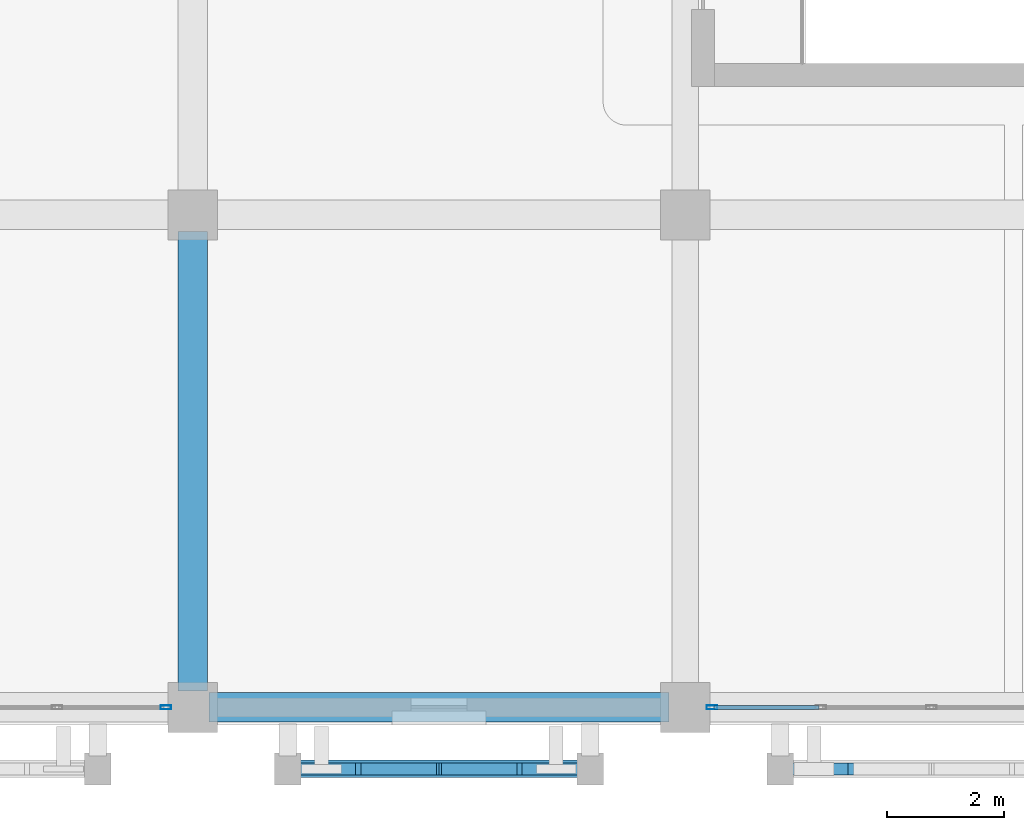
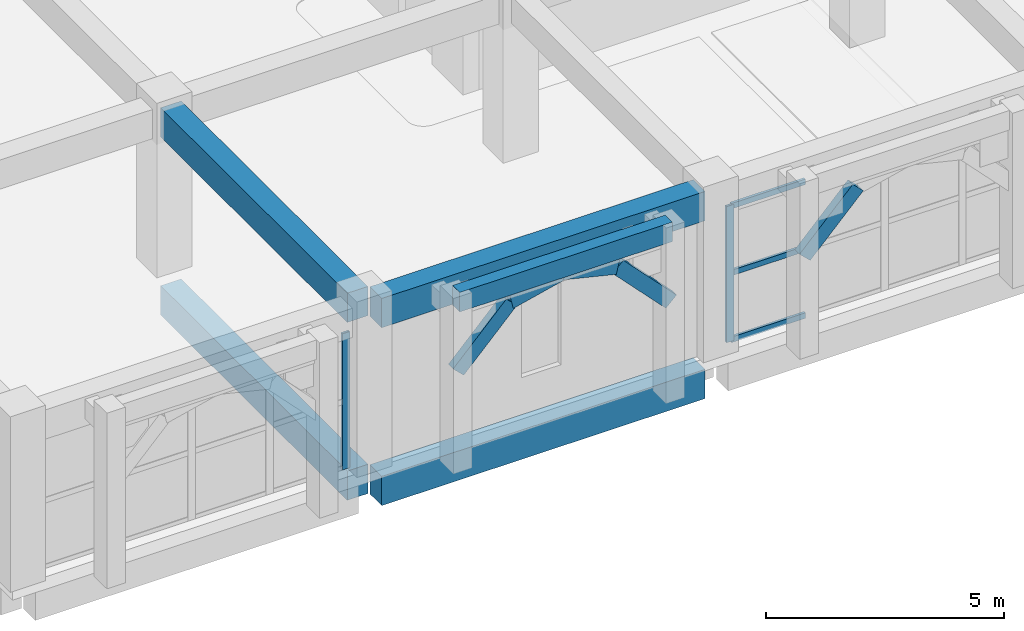
# One storey, part 5 of 129: 10 members, 5 beams, 2 elements without a shape of their own.
"""IFC4 building model written with IfcOpenShell, lengths in metres."""

from ifc_helpers import new_model, si_unit, direction, frame, origin, origin_2d, place, context, subcontext, project, spatial, rectangle, hollow_rectangle, extrude, material, layer, layer_set, material_profile, profile_set, type_object, element, aggregate, save


model = new_model("IFC4")

# Units and contexts
model_context = context("Model", 3, precision=1e-05, world=origin(), true_north=direction((0.0, 1.0)))
body_context = subcontext(model_context, "Body", "Model", "MODEL_VIEW")
ifc_project = project(units=[si_unit("LENGTHUNIT", "METRE"), si_unit("AREAUNIT", "SQUARE_METRE"), si_unit("VOLUMEUNIT", "CUBIC_METRE"), si_unit("PLANEANGLEUNIT", "RADIAN"), si_unit("MASSUNIT", "GRAM", prefix="KILO")], contexts=[model_context])

# Site, building, storey
site_placement = place(None, origin())
site = spatial("IfcSite", under=ifc_project, at=site_placement, CompositionType="ELEMENT")
building_placement = place(site_placement, origin())
building = spatial("IfcBuilding", under=site, at=building_placement, Name="Xazarin Passage Department Store", CompositionType="ELEMENT")
storey_placement = place(building_placement, frame((0.0, 0.0, 9.89990234375)))
storey = spatial("IfcBuildingStorey", under=building, at=storey_placement, Name="L02", CompositionType="ELEMENT", Elevation=9.89990234375)

# Curtain wall, member
ifc_material_1 = material(Name="Bronze anodised aluminium", Category="aluminium")
ifc_layer = layer(ifc_material_1, 0.18994140625)
ifc_layer_set = layer_set([ifc_layer], Name="Bronze anodised aluminium")
curtain_wall_type = type_object("IfcCurtainWallType", Name="ARC-CW-FDH1", PredefinedType="NOTDEFINED", material=ifc_layer_set)
curtain_wall_1_placement = place(storey_placement, origin())
curtain_wall_1 = element("IfcCurtainWall", 1, at=curtain_wall_1_placement, inside=storey, type_object=curtain_wall_type, Name="L02 V3 Curtain Wall 130", PredefinedType="NOTDEFINED")
ifc_material_profile_1 = material_profile(ifc_material_1, hollow_rectangle(XDim=0.06494140625, YDim=0.179931640625, WallThickness=0.00390625, at=origin_2d()), Name="ALU 65x180")
ifc_profile_set_1 = profile_set([ifc_material_profile_1], Name="Bronze anodised aluminium")
member_type_1 = type_object("IfcMemberType", Name="ARC-CWM-65x180", PredefinedType="MULLION", material=ifc_profile_set_1)
member_1_placement = place(storey_placement, frame((16.342529296875, 0.0, 0.0), z_axis=(0.0, 0.0, 1.0), x_axis=(0.0, 1.0, 0.0)))
member_1 = element("IfcMember", 2, at=member_1_placement, type_object=member_type_1, Name="CW5 mullion 5", PredefinedType="MULLION", context=body_context, shape_type="SweptSolid", body=[
    extrude(hollow_rectangle(XDim=0.06494140625, YDim=0.179931640625, WallThickness=0.00390625, at=origin_2d()), origin(), (0.0, 0.0, 1.0), 3.489990234375),
])
aggregate(curtain_wall_1, [member_1])

# Curtain wall, members
curtain_wall_2_placement = place(storey_placement, origin())
curtain_wall_2 = element("IfcCurtainWall", 3, at=curtain_wall_2_placement, inside=storey, type_object=curtain_wall_type, Name="L02 V3 Curtain Wall 131", PredefinedType="NOTDEFINED")
member_2_placement = place(storey_placement, frame((25.657470703125, 0.0, 0.0), z_axis=(0.0, 0.0, 1.0), x_axis=(0.0, 1.0, 0.0)))
member_2 = element("IfcMember", 4, at=member_2_placement, type_object=member_type_1, Name="CW5 mullion 1", PredefinedType="MULLION", context=body_context, shape_type="SweptSolid", body=[
    extrude(hollow_rectangle(XDim=0.06494140625, YDim=0.179931640625, WallThickness=0.00390625, at=origin_2d()), origin(), (0.0, 0.0, 1.0), 3.489990234375),
])
ifc_material_profile_2 = material_profile(ifc_material_1, hollow_rectangle(XDim=0.06494140625, YDim=0.139892578125, WallThickness=0.00390625, at=origin_2d()), Name="ALU 65x140")
ifc_profile_set_2 = profile_set([ifc_material_profile_2], Name="Bronze anodised aluminium")
member_type_2 = type_object("IfcMemberType", Name="ARC-CWT-65x140", PredefinedType="USERDEFINED", material=ifc_profile_set_2)
member_3_placement = place(storey_placement, frame((25.68994140625, 0.0, 0.03271484375), z_axis=(1.0, 0.0, 0.0), x_axis=(0.0, 1.0, 0.0)))
member_3 = element("IfcMember", 5, at=member_3_placement, type_object=member_type_2, Name="CW5 transom 1.1", ObjectType="TRANSOM", PredefinedType="USERDEFINED", context=body_context, shape_type="SweptSolid", body=[
    extrude(hollow_rectangle(XDim=0.06494140625, YDim=0.139892578125, WallThickness=0.00390625, at=origin_2d()), origin(), (0.0, 0.0, 1.0), 1.7900390625),
])
member_4_placement = place(storey_placement, frame((25.68994140625, 0.0, 1.7451171875), z_axis=(1.0, 0.0, 0.0), x_axis=(0.0, 1.0, 0.0)))
member_4 = element("IfcMember", 6, at=member_4_placement, type_object=member_type_2, Name="CW5 transom 1.2", ObjectType="TRANSOM", PredefinedType="USERDEFINED", context=body_context, shape_type="SweptSolid", body=[
    extrude(hollow_rectangle(XDim=0.06494140625, YDim=0.139892578125, WallThickness=0.00390625, at=origin_2d()), origin(), (0.0, 0.0, 1.0), 1.7900390625),
])
member_5_placement = place(storey_placement, frame((25.68994140625, 0.0, 3.45751953125), z_axis=(1.0, 0.0, 0.0), x_axis=(0.0, 1.0, 0.0)))
member_5 = element("IfcMember", 7, at=member_5_placement, type_object=member_type_2, Name="CW5 transom 1.3", ObjectType="TRANSOM", PredefinedType="USERDEFINED", context=body_context, shape_type="SweptSolid", body=[
    extrude(hollow_rectangle(XDim=0.06494140625, YDim=0.139892578125, WallThickness=0.00390625, at=origin_2d()), origin(), (0.0, 0.0, 1.0), 1.7900390625),
])
aggregate(curtain_wall_2, [member_2, member_3, member_4, member_5])

# Beams
ifc_material_2 = material(Name="Concrete C35/45", Category="concrete")
ifc_material_profile_3 = material_profile(ifc_material_2, rectangle(XDim=0.300048828125, YDim=0.5, at=origin_2d()), Name="RC 300x500")
ifc_profile_set_3 = profile_set([ifc_material_profile_3], Name="Concrete C35/45")
beam_type_1 = type_object("IfcBeamType", Name="STR-BM-LN300x500", PredefinedType="LINTEL", material=ifc_profile_set_3)
beam_1_placement = place(storey_placement, frame((18.419921875, -1.050048828125, 4.25), z_axis=(1.0, 0.0, 0.0), x_axis=(0.0, 1.0, 0.0)))
element("IfcBeam", 8, at=beam_1_placement, inside=storey, type_object=beam_type_1, Name="L02 V3 Colonnade Spandrel Beam 028", PredefinedType="LINTEL", context=body_context, shape_type="SweptSolid", body=[
    extrude(rectangle(XDim=0.300048828125, YDim=0.5, at=origin_2d()), origin(), (0.0, 0.0, 1.0), 5.16015625),
])
ifc_material_profile_4 = material_profile(ifc_material_2, rectangle(XDim=0.5, YDim=0.75, at=origin_2d()), Name="RC 500x750")
ifc_profile_set_4 = profile_set([ifc_material_profile_4], Name="Concrete C35/45")
beam_type_2 = type_object("IfcBeamType", Name="STR-BM-SP500x750", PredefinedType="SPANDREL", material=ifc_profile_set_4)
beam_2_placement = place(storey_placement, frame((17.080078125, 0.0, -0.69482421875), z_axis=(1.0, 0.0, 0.0), x_axis=(0.0, 1.0, 0.0)))
element("IfcBeam", 9, at=beam_2_placement, inside=storey, type_object=beam_type_2, Name="L02 Grid Beam A/3-4", PredefinedType="SPANDREL", context=body_context, shape_type="SweptSolid", body=[
    extrude(rectangle(XDim=0.5, YDim=0.75, at=origin_2d()), origin(), (0.0, 0.0, 1.0), 7.83984375),
])
beam_3_placement = place(storey_placement, frame((16.800048828125, 0.280029296875, -0.69482421875), z_axis=(0.0, 1.0, 0.0), x_axis=(-1.0, 0.0, 0.0)))
element("IfcBeam", 10, at=beam_3_placement, inside=storey, type_object=beam_type_2, Name="L02 Grid Beam 3/A-B", PredefinedType="SPANDREL", context=body_context, shape_type="SweptSolid", body=[
    extrude(rectangle(XDim=0.5, YDim=0.75, at=origin_2d()), origin(), (0.0, 0.0, 1.0), 7.840087890625),
])
beam_4_placement = place(storey_placement, frame((17.080078125, 0.0, 3.864990234375), z_axis=(1.0, 0.0, 0.0), x_axis=(0.0, 1.0, 0.0)))
element("IfcBeam", 11, at=beam_4_placement, inside=storey, type_object=beam_type_2, Name="L02 Grid Beam A/3-4", PredefinedType="SPANDREL", context=body_context, shape_type="SweptSolid", body=[
    extrude(rectangle(XDim=0.5, YDim=0.75, at=origin_2d()), origin(), (0.0, 0.0, 1.0), 7.83984375),
])
beam_5_placement = place(storey_placement, frame((16.800048828125, 0.280029296875, 3.864990234375), z_axis=(0.0, 1.0, 0.0), x_axis=(-1.0, 0.0, 0.0)))
element("IfcBeam", 12, at=beam_5_placement, inside=storey, type_object=beam_type_2, Name="L02 Grid Beam 3/A-B", PredefinedType="SPANDREL", context=body_context, shape_type="SweptSolid", body=[
    extrude(rectangle(XDim=0.5, YDim=0.75, at=origin_2d()), origin(), (0.0, 0.0, 1.0), 7.840087890625),
])

# Members
ifc_material_3 = material(Name="Concrete C40/50", Category="concrete")
ifc_material_profile_5 = material_profile(ifc_material_3, rectangle(XDim=0.199951171875, YDim=0.360107421875, at=origin_2d()), Name="RC 200x360")
ifc_profile_set_5 = profile_set([ifc_material_profile_5], Name="Concrete C40/50")
member_type_3 = type_object("IfcMemberType", Name="STR-MEM-ARC360", PredefinedType="CHORD", material=ifc_profile_set_5)
member_6_placement = place(storey_placement, frame((18.419921875, -1.050048828125, 2.43017578125), z_axis=(0.693460080602, 0.0, 0.720495049679), x_axis=(0.0, 1.0, 0.0)))
element("IfcMember", 13, at=member_6_placement, inside=storey, type_object=member_type_3, Name="L02 V3 Pierced Lattice Curved Arch 028.1", PredefinedType="CHORD", context=body_context, shape_type="SweptSolid", body=[
    extrude(rectangle(XDim=0.199951171875, YDim=0.360107421875, at=origin_2d()), origin(), (0.0, 0.0, 1.0), 1.8603515625),
])
for number, where, z_axis, x_axis, name in (
    (14, (19.7099609375, -1.050048828125, 3.7705078125), (0.972393983317, 0.0, 0.233345111818), (0.0, 1.0, 0.0), "L02 V3 Pierced Lattice Curved Arch 028.2"),
    (15, (21.0, -1.050048828125, 4.080078125), (0.972393983317, 0.0, -0.233345111818), (0.0, 1.0, 0.0), "L02 V3 Pierced Lattice Curved Arch 028.3"),
):
    element("IfcMember", number, at=place(storey_placement, frame(where, z_axis=z_axis, x_axis=x_axis)), inside=storey, type_object=member_type_3, Name=name, PredefinedType="CHORD", context=body_context, shape_type="SweptSolid", body=[
        extrude(rectangle(XDim=0.199951171875, YDim=0.360107421875, at=origin_2d()), origin(), (0.0, 0.0, 1.0), 1.32666015625),
    ])
for number, where, z_axis, x_axis, name in (
    (16, (22.2900390625, -1.050048828125, 3.7705078125), (0.693460080602, 0.0, -0.720495049679), (0.0, 1.0, 0.0), "L02 V3 Pierced Lattice Curved Arch 028.4"),
    (17, (26.820068359375, -1.050048828125, 2.43017578125), (0.693460080602, 0.0, 0.720495049679), (0.0, 1.0, 0.0), "L02 V3 Pierced Lattice Curved Arch 029.1"),
):
    element("IfcMember", number, at=place(storey_placement, frame(where, z_axis=z_axis, x_axis=x_axis)), inside=storey, type_object=member_type_3, Name=name, PredefinedType="CHORD", context=body_context, shape_type="SweptSolid", body=[
        extrude(rectangle(XDim=0.199951171875, YDim=0.360107421875, at=origin_2d()), origin(), (0.0, 0.0, 1.0), 1.8603515625),
    ])

save(model, "model.ifc")
